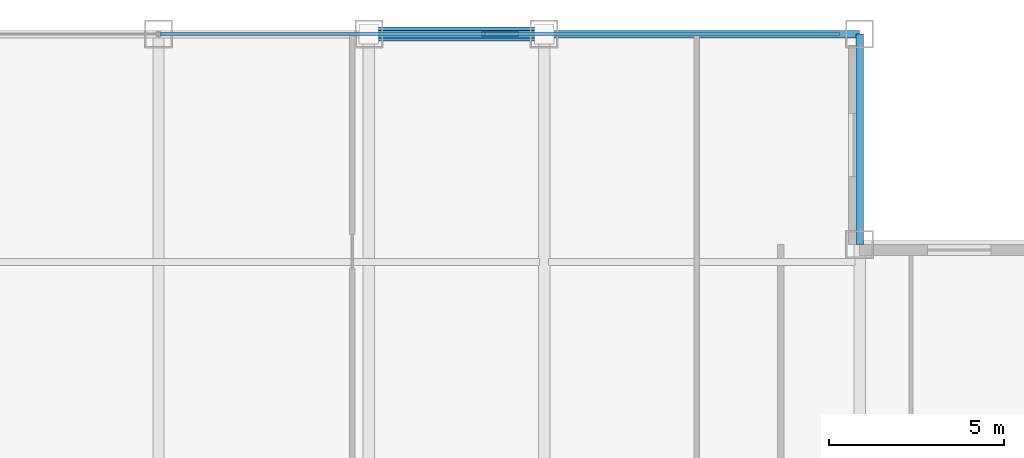
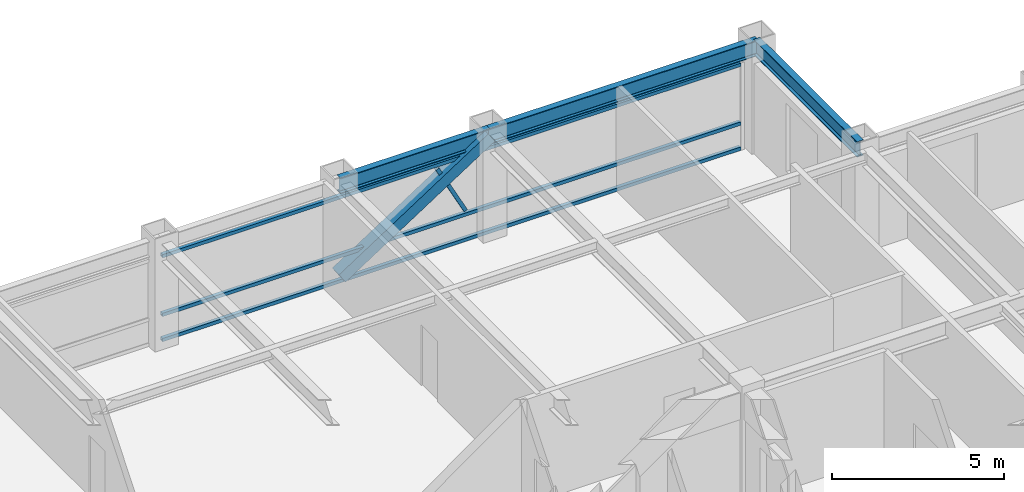
# One storey, part 21 of 28: 5 members, 3 beams, 1 element without a shape of its own.
"""IFC4 building model written with IfcOpenShell, lengths in metres."""

from ifc_helpers import new_model, si_unit, direction, frame, origin, origin_2d, place, context, subcontext, project, spatial, hollow_rectangle, i_section, extrude, source, transform, mapped, material, material_profile, profile_set, type_object, element, aggregate, save


model = new_model("IFC4")

# Units and contexts
model_context = context("Model", 3, precision=1e-05, world=origin(), true_north=direction((0.0, 1.0)))
body_context = subcontext(model_context, "Body", "Model", "MODEL_VIEW")
ifc_project = project(units=[si_unit("LENGTHUNIT", "METRE"), si_unit("AREAUNIT", "SQUARE_METRE"), si_unit("VOLUMEUNIT", "CUBIC_METRE"), si_unit("PLANEANGLEUNIT", "RADIAN"), si_unit("MASSUNIT", "GRAM", prefix="KILO")], contexts=[model_context])

# Site, building, storey
site_placement = place(None, origin())
site = spatial("IfcSite", under=ifc_project, at=site_placement, CompositionType="ELEMENT")
building_placement = place(site_placement, origin())
building = spatial("IfcBuilding", under=site, at=building_placement, Name="Khorayat Bourse Tower", CompositionType="ELEMENT")
storey_placement = place(building_placement, frame((0.0, 0.0, 334.300048828125)))
storey = spatial("IfcBuildingStorey", under=building, at=storey_placement, Name="L79", CompositionType="ELEMENT", Elevation=334.300048828125)

# Beams
ifc_material_1 = material(Name="Steel ASTM A992 Grade 50", Category="steel")
ifc_material_profile_1 = material_profile(ifc_material_1, i_section(OverallWidth=0.214111328125, OverallDepth=0.549072265625, WebThickness=0.0146484375, FlangeThickness=0.023681640625, FilletRadius=0.013916015625, at=origin_2d()), Name="W530X138")
ifc_profile_set_1 = profile_set([ifc_material_profile_1], Name="Steel ASTM A992 Grade 50")
beam_type = type_object("IfcBeamType", Name="BM-SPAN-530", PredefinedType="SPANDREL", material=ifc_profile_set_1)
shared_shape_1 = source(origin(), body_context, "Body", "SweptSolid", [
    extrude(i_section(OverallWidth=0.214111328125, OverallDepth=0.549072265625, WebThickness=0.0146484375, FlangeThickness=0.023681640625, FilletRadius=0.013916015625, at=origin_2d()), origin(), (0.0, 0.0, 1.0), 9.0),
])
beam_1_placement = place(storey_placement, frame((11.0, 26.0, 3.46533203125), z_axis=(1.0, 0.0, 0.0), x_axis=(0.0, 1.0, 0.0)))
element("IfcBeam", 1, at=beam_1_placement, inside=storey, type_object=beam_type, Name="L79 BM-SPAN-530 BM-L79-SPN-040", PredefinedType="SPANDREL", context=body_context, shape_type="MappedRepresentation", body=[
    mapped(shared_shape_1, transform((0.0, 0.0, 0.0), scale=1.0)),
])
shared_shape_2 = source(origin(), body_context, "Body", "SweptSolid", [
    extrude(i_section(OverallWidth=0.214111328125, OverallDepth=0.549072265625, WebThickness=0.0146484375, FlangeThickness=0.023681640625, FilletRadius=0.013916015625, at=origin_2d()), origin(), (0.0, 0.0, 1.0), 5.0),
])
beam_2_placement = place(storey_placement, frame((6.0, 26.0, 3.46533203125), z_axis=(1.0, 0.0, 0.0), x_axis=(0.0, 1.0, 0.0)))
element("IfcBeam", 2, at=beam_2_placement, inside=storey, type_object=beam_type, Name="L79 BM-SPAN-530 BM-L79-SPN-041", PredefinedType="SPANDREL", context=body_context, shape_type="MappedRepresentation", body=[
    mapped(shared_shape_2, transform((0.0, 0.0, 0.0), scale=1.0)),
])
shared_shape_3 = source(origin(), body_context, "Body", "SweptSolid", [
    extrude(i_section(OverallWidth=0.214111328125, OverallDepth=0.549072265625, WebThickness=0.0146484375, FlangeThickness=0.023681640625, FilletRadius=0.013916015625, at=origin_2d()), origin(), (0.0, 0.0, 1.0), 6.0),
])
beam_3_placement = place(storey_placement, frame((20.0, 20.0, 3.46533203125), z_axis=(0.0, 1.0, 0.0), x_axis=(-1.0, 0.0, 0.0)))
element("IfcBeam", 3, at=beam_3_placement, inside=storey, type_object=beam_type, Name="L79 BM-SPAN-530 BM-L79-SPN-039", PredefinedType="SPANDREL", context=body_context, shape_type="MappedRepresentation", body=[
    mapped(shared_shape_3, transform((0.0, 0.0, 0.0), scale=1.0)),
])

# Member
ifc_material_2 = material(Name="Steel EN 10025-4 S460M", Category="steel")
ifc_material_profile_2 = material_profile(ifc_material_2, hollow_rectangle(XDim=0.39990234375, YDim=0.39990234375, WallThickness=0.02197265625, at=origin_2d()), Name="HSS 400x400x22")
ifc_profile_set_2 = profile_set([ifc_material_profile_2], Name="Steel EN 10025-4 S460M")
member_type_1 = type_object("IfcMemberType", Name="MBR-TUBE-400", PredefinedType="BRACE", material=ifc_profile_set_2)
shared_shape_4 = source(origin(), body_context, "Body", "SweptSolid", [
    extrude(hollow_rectangle(XDim=0.39990234375, YDim=0.39990234375, WallThickness=0.02197265625, at=origin_2d()), origin(), (0.0, 0.0, 1.0), 5.9580078125),
])
member_1_placement = place(storey_placement, frame((6.0, 26.0, 0.25), z_axis=(0.839210474455, 0.0, 0.543806748364), x_axis=(0.0, 1.0, 0.0)))
element("IfcMember", 4, at=member_1_placement, inside=storey, type_object=member_type_1, Name="L79 Perimeter Tube Brace 04", PredefinedType="BRACE", context=body_context, shape_type="MappedRepresentation", body=[
    mapped(shared_shape_4, transform((0.0, 0.0, 0.0), scale=1.0)),
])

# Curtain wall, members
ifc_material_3 = material(Name="Aluminium EN AW-6063 T6", Category="aluminium")
curtain_wall_type = type_object("IfcCurtainWallType", Name="CW-SYS-04", PredefinedType="NOTDEFINED", material=ifc_material_3)
curtain_wall_placement = place(storey_placement, origin())
curtain_wall = element("IfcCurtainWall", 5, at=curtain_wall_placement, inside=storey, type_object=curtain_wall_type, Name="L79 Curtain Wall CW-L79-N1", PredefinedType="NOTDEFINED")
ifc_material_profile_3 = material_profile(ifc_material_3, hollow_rectangle(XDim=0.1201171875, YDim=0.1201171875, WallThickness=0.0048828125, at=origin_2d()), Name="ALU 120x120x5")
ifc_profile_set_3 = profile_set([ifc_material_profile_3], Name="Aluminium EN AW-6063 T6")
member_type_2 = type_object("IfcMemberType", Name="CWM-DIAG-120", PredefinedType="MULLION", material=ifc_profile_set_3)
shared_shape_5 = source(origin(), body_context, "Body", "SweptSolid", [
    extrude(hollow_rectangle(XDim=0.1201171875, YDim=0.1201171875, WallThickness=0.0048828125, at=origin_2d()), origin(), (0.0, 0.0, 1.0), 2.0341796875),
])
member_2_placement = place(storey_placement, frame((10.21875, 26.0, 1.08984375), z_axis=(-0.465790950955, 0.0, 0.884894790361), x_axis=(0.0, -1.0, 0.0)))
member_2 = element("IfcMember", 6, at=member_2_placement, type_object=member_type_2, Name="CW-L79-N1 Faceted Diagonal Mullion 2", PredefinedType="MULLION", context=body_context, shape_type="MappedRepresentation", body=[
    mapped(shared_shape_5, transform((0.0, 0.0, 0.0), scale=1.0)),
])
ifc_material_profile_4 = material_profile(ifc_material_3, hollow_rectangle(XDim=0.1201171875, YDim=0.1201171875, WallThickness=0.0048828125, at=origin_2d()), Name="ALU 120x120x5")
ifc_profile_set_4 = profile_set([ifc_material_profile_4], Name="Aluminium EN AW-6063 T6")
member_type_3 = type_object("IfcMemberType", Name="CWT-HORZ-120", PredefinedType="USERDEFINED", material=ifc_profile_set_4)
shared_shape_6 = source(origin(), body_context, "Body", "SweptSolid", [
    extrude(hollow_rectangle(XDim=0.1201171875, YDim=0.1201171875, WallThickness=0.0048828125, at=origin_2d()), origin(), (0.0, 0.0, 1.0), 19.369873046875),
])
member_3_placement = place(storey_placement, frame((0.06005859375, 26.0, 0.06005859375), z_axis=(1.0, 0.0, 0.0), x_axis=(0.0, 1.0, 0.0)))
member_3 = element("IfcMember", 7, at=member_3_placement, type_object=member_type_3, Name="CW-L79-N1 Horizontal Transom 2-1", ObjectType="TRANSOM", PredefinedType="USERDEFINED", context=body_context, shape_type="MappedRepresentation", body=[
    mapped(shared_shape_6, transform((0.0, 0.0, 0.0), scale=1.0)),
])
member_4_placement = place(storey_placement, frame((0.06005859375, 26.0, 0.949951171875), z_axis=(1.0, 0.0, 0.0), x_axis=(0.0, 1.0, 0.0)))
member_4 = element("IfcMember", 8, at=member_4_placement, type_object=member_type_3, Name="CW-L79-N1 Horizontal Transom 2-2", ObjectType="TRANSOM", PredefinedType="USERDEFINED", context=body_context, shape_type="MappedRepresentation", body=[
    mapped(shared_shape_6, transform((0.0, 0.0, 0.0), scale=1.0)),
])
member_5_placement = place(storey_placement, frame((0.06005859375, 26.0, 3.030029296875), z_axis=(1.0, 0.0, 0.0), x_axis=(0.0, 1.0, 0.0)))
member_5 = element("IfcMember", 9, at=member_5_placement, type_object=member_type_3, Name="CW-L79-N1 Horizontal Transom 2-3", ObjectType="TRANSOM", PredefinedType="USERDEFINED", context=body_context, shape_type="MappedRepresentation", body=[
    mapped(shared_shape_6, transform((0.0, 0.0, 0.0), scale=1.0)),
])
aggregate(curtain_wall, [member_3, member_4, member_5, member_2])

save(model, "model.ifc")
